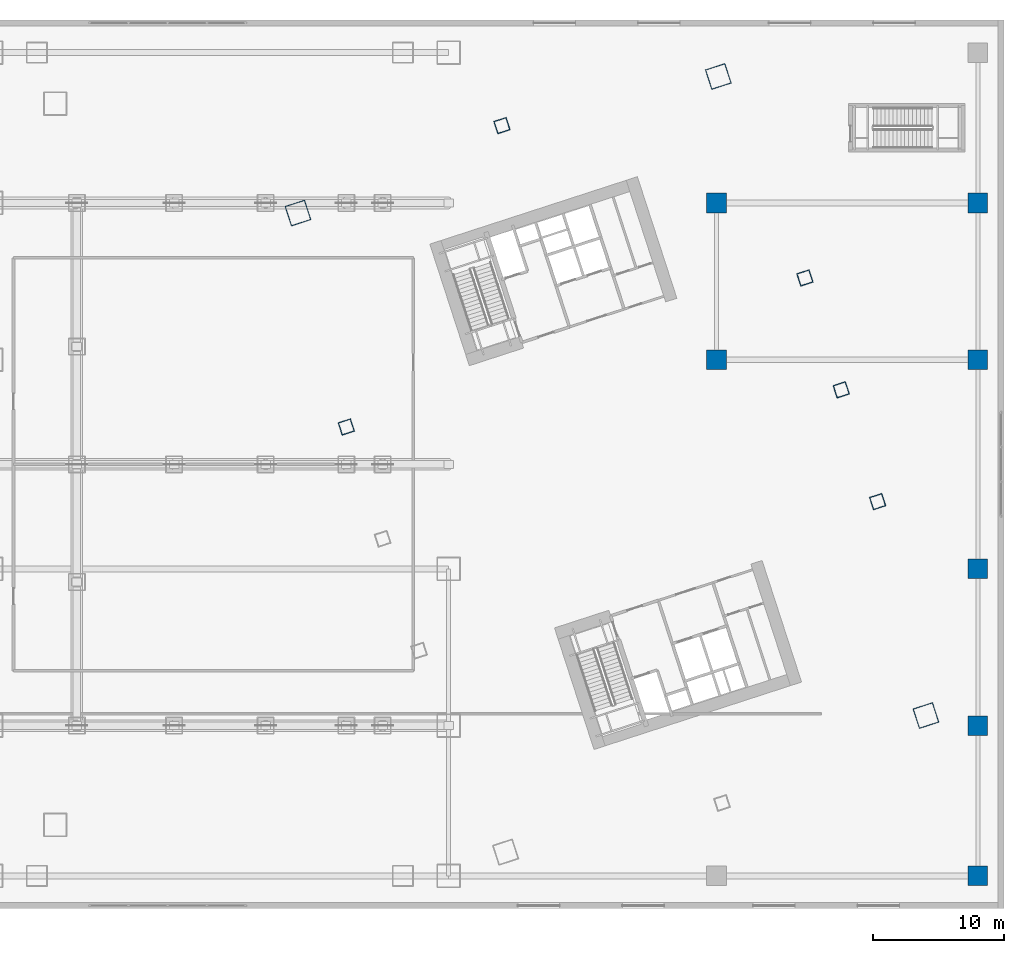
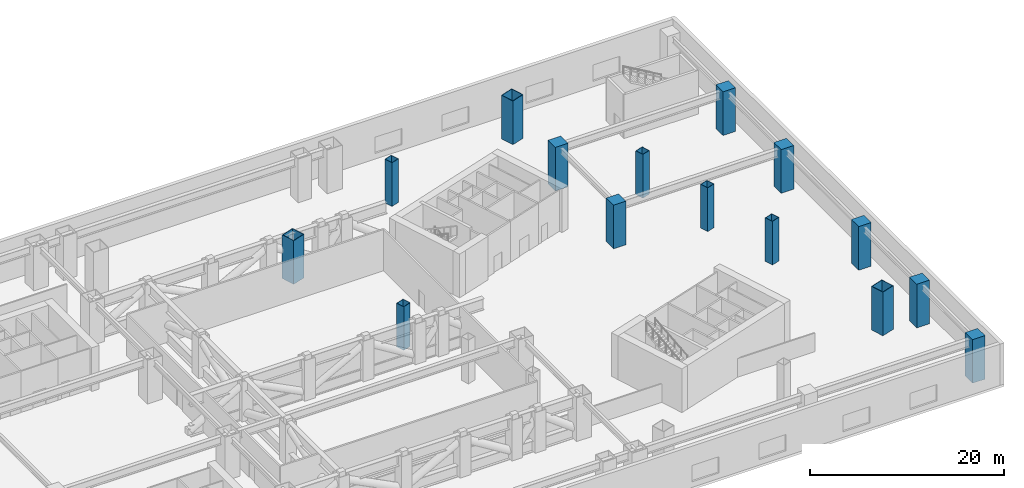
# One storey, part 2 of 34: 15 columns.
"""IFC4 building model written with IfcOpenShell, lengths in metres."""

from ifc_helpers import new_model, si_unit, direction, frame, origin, origin_2d, place, context, subcontext, project, spatial, rectangle, hollow_rectangle, extrude, material, material_profile, profile_set, type_object, element, save


model = new_model("IFC4")

# Units and contexts
model_context = context("Model", 3, precision=1e-05, world=origin(), true_north=direction((0.0, 1.0)))
body_context = subcontext(model_context, "Body", "Model", "MODEL_VIEW")
ifc_project = project(units=[si_unit("LENGTHUNIT", "METRE"), si_unit("AREAUNIT", "SQUARE_METRE"), si_unit("VOLUMEUNIT", "CUBIC_METRE"), si_unit("PLANEANGLEUNIT", "RADIAN"), si_unit("MASSUNIT", "GRAM", prefix="KILO")], contexts=[model_context])

# Site, building, storey
site_placement = place(None, origin())
site = spatial("IfcSite", under=ifc_project, at=site_placement, CompositionType="ELEMENT")
building_placement = place(site_placement, origin())
building = spatial("IfcBuilding", under=site, at=building_placement, Name="Qiaolan Cultural Towers", CompositionType="ELEMENT")
storey_placement = place(building_placement, frame((0.0, 0.0, 16.5)))
storey = spatial("IfcBuildingStorey", under=building, at=storey_placement, Name="L03", CompositionType="ELEMENT", Elevation=16.5)

# Columns
ifc_material_1 = material(Name="Steel Q355B", Category="steel")
ifc_material_profile_1 = material_profile(ifc_material_1, hollow_rectangle(XDim=1.0, YDim=1.0, WallThickness=0.035888671875, at=origin_2d()), Name="BOX1000x1000x36")
ifc_profile_set_1 = profile_set([ifc_material_profile_1], Name="Steel Q355B")
column_type_1 = type_object("IfcColumnType", Name="COL-BOX1000x1000x36", PredefinedType="COLUMN", material=ifc_profile_set_1)
for number, where, z_axis, x_axis, name in (
    (1, (69.671875, 36.858154296875, 0.0), (0.0, 0.0, 1.0), (0.951056516295, 0.309016994375, 0.0), "L03 T2 Column PC-W3"),
    (2, (110.328125, 31.141845703125, 0.0), (0.0, 0.0, 1.0), (0.951056516295, 0.309016994375, 0.0), "L03 T2 Column PC-E1"),
    (3, (107.546875, 39.701416015625, 0.0), (0.0, 0.0, 1.0), (0.951056516295, 0.309016994375, 0.0), "L03 T2 Column PC-E2"),
    (4, (104.765869140625, 48.260986328125, 0.0), (0.0, 0.0, 1.0), (0.951056516295, 0.309016994375, 0.0), "L03 T2 Column PC-E3"),
    (5, (81.579345703125, 59.916259765625, 0.0), (0.0, 0.0, 1.0), (0.951056516295, 0.309016994375, 0.0), "L03 T2 Column PC-N0"),
):
    element("IfcColumn", number, at=place(storey_placement, frame(where, z_axis=z_axis, x_axis=x_axis)), inside=storey, type_object=column_type_1, Name=name, PredefinedType="COLUMN", context=body_context, shape_type="SweptSolid", body=[
        extrude(hollow_rectangle(XDim=1.0, YDim=1.0, WallThickness=0.035888671875, at=origin_2d()), origin(), (0.0, 0.0, 1.0), 5.5009765625),
    ])
ifc_material_2 = material(Name="Steel Q420GJB", Category="steel")
ifc_material_profile_2 = material_profile(ifc_material_2, hollow_rectangle(XDim=1.60009765625, YDim=1.60009765625, WallThickness=0.054931640625, at=origin_2d()), Name="BOX1600x1600x55")
ifc_profile_set_2 = profile_set([ifc_material_profile_2], Name="Steel Q420GJB")
column_type_2 = type_object("IfcColumnType", Name="COL-BOX1600x1600x55", PredefinedType="COLUMN", material=ifc_profile_set_2)
for number, where, z_axis, x_axis, name in (
    (6, (114.027099609375, 14.77392578125, 0.0), (0.0, 0.0, 1.0), (0.951056516295, 0.309016994375, 0.0), "L03 T2 Column MC-SE"),
    (7, (98.137451171875, 63.67724609375, 0.0), (0.0, 0.0, 1.0), (0.951056516295, 0.309016994375, 0.0), "L03 T2 Column MC-NE"),
    (8, (65.972900390625, 53.22607421875, 0.0), (0.0, 0.0, 1.0), (0.951056516295, 0.309016994375, 0.0), "L03 T2 Column MC-NW"),
):
    element("IfcColumn", number, at=place(storey_placement, frame(where, z_axis=z_axis, x_axis=x_axis)), inside=storey, type_object=column_type_2, Name=name, PredefinedType="COLUMN", context=body_context, shape_type="SweptSolid", body=[
        extrude(hollow_rectangle(XDim=1.60009765625, YDim=1.60009765625, WallThickness=0.054931640625, at=origin_2d()), origin(), (0.0, 0.0, 1.0), 5.5009765625),
    ])
ifc_material_3 = material(Name="Concrete C60", Category="concrete")
ifc_material_profile_3 = material_profile(ifc_material_3, rectangle(XDim=1.5, YDim=1.5, at=origin_2d()), Name="RC1500x1500")
ifc_profile_set_3 = profile_set([ifc_material_profile_3], Name="Concrete C60")
column_type_3 = type_object("IfcColumnType", Name="COL-RC1500x1500", PredefinedType="COLUMN", material=ifc_profile_set_3)
for number, where, z_axis, x_axis, name in (
    (9, (98.0, 42.0, 0.0), (0.0, 0.0, 1.0), (1.0, 0.0, 0.0), "L03 Podium Column PC-98-42"),
    (10, (98.0, 54.0, 0.0), (0.0, 0.0, 1.0), (1.0, 0.0, 0.0), "L03 Podium Column PC-98-54"),
    (11, (118.0, 2.5, 0.0), (0.0, 0.0, 1.0), (1.0, 0.0, 0.0), "L03 Podium Column PC-118-2"),
    (12, (118.0, 14.0, 0.0), (0.0, 0.0, 1.0), (1.0, 0.0, 0.0), "L03 Podium Column PC-118-14"),
    (13, (118.0, 26.0, 0.0), (0.0, 0.0, 1.0), (1.0, 0.0, 0.0), "L03 Podium Column PC-118-26"),
    (14, (118.0, 42.0, 0.0), (0.0, 0.0, 1.0), (1.0, 0.0, 0.0), "L03 Podium Column PC-118-42"),
    (15, (118.0, 54.0, 0.0), (0.0, 0.0, 1.0), (1.0, 0.0, 0.0), "L03 Podium Column PC-118-54"),
):
    element("IfcColumn", number, at=place(storey_placement, frame(where, z_axis=z_axis, x_axis=x_axis)), inside=storey, type_object=column_type_3, Name=name, PredefinedType="COLUMN", context=body_context, shape_type="SweptSolid", body=[
        extrude(rectangle(XDim=1.5, YDim=1.5, at=origin_2d()), origin(), (0.0, 0.0, 1.0), 5.5009765625),
    ])

save(model, "model.ifc")
